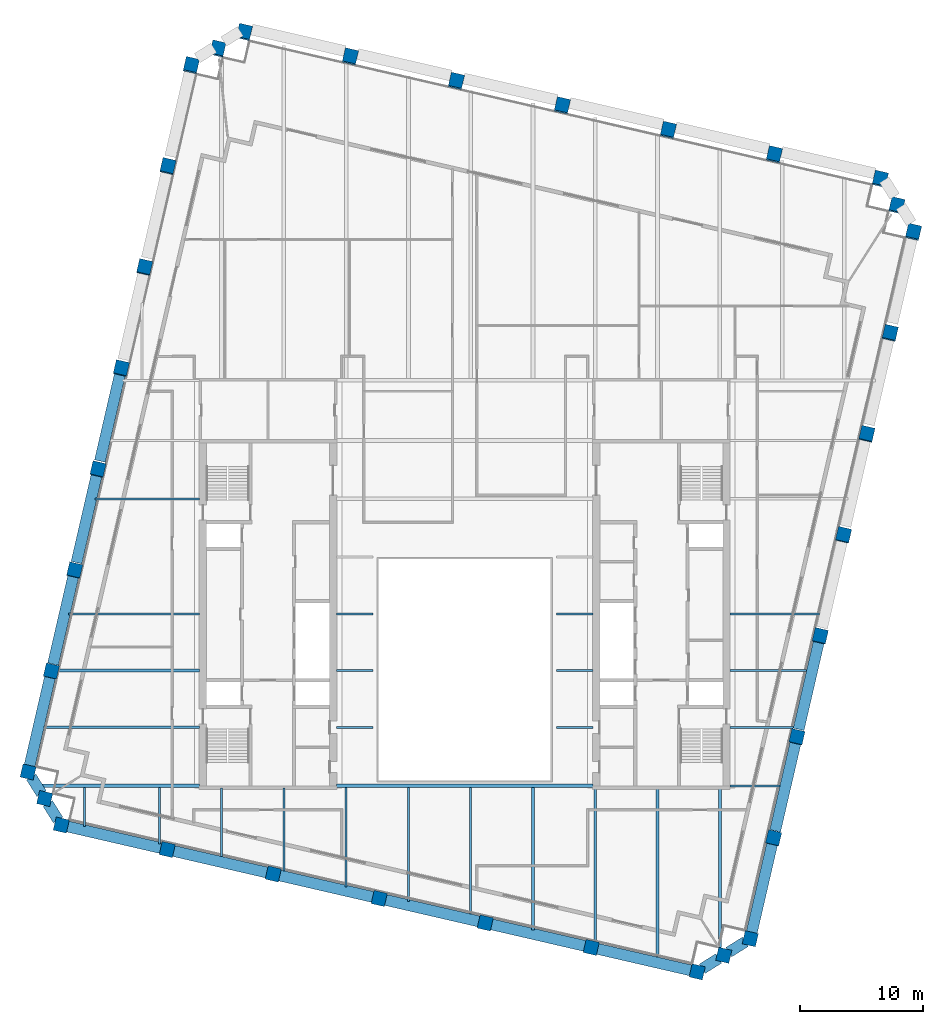
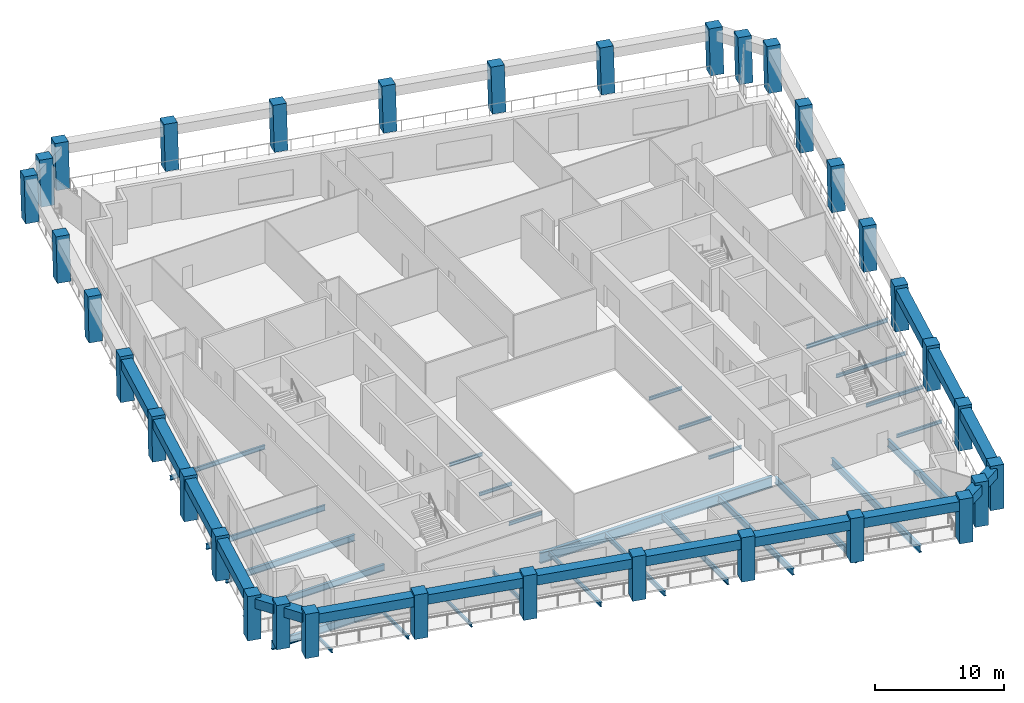
# One storey, part 1 of 9: 44 beams, 34 columns.
"""IFC4 building model written with IfcOpenShell, lengths in metres."""

import ifcopenshell
import ifcopenshell.guid

model = None  # the IFC model being written
_history = None  # IfcOwnerHistory: only IFC2X3 demands one
_inside = {}  # id of a spatial element -> (the spatial element, [elements in it])
_under = {}  # id of a project, library or spatial element -> (it, [spatial elements below it])
_declared = {}  # id of a project -> (the project, [libraries it declares])
_typed = {}  # id of a type object -> (the type object, [elements of that type])
_made_of = {}  # id of a material, layer set ... -> (it, [elements and type objects made of it])


def new_model(schema):
    """Start an empty IFC model of exactly this schema.

    Asked for "IFC4X3", IfcOpenShell would pick the latest addendum, in which some entities
    have other attributes; the version numbers below select the first issue.
    IFC2X3 requires an IfcOwnerHistory on every rooted entity: one is made here for all.
    """
    global model, _history
    if schema == "IFC4X3":
        model = ifcopenshell.file(schema_version=(4, 3, 0, 0))
    else:
        model = ifcopenshell.file(schema=schema)
    _inside.clear()
    _under.clear()
    _declared.clear()
    _typed.clear()
    _made_of.clear()
    _history = None
    if model.schema == "IFC2X3":
        org = make("IfcOrganization", Name="unknown")
        user = make(
            "IfcPersonAndOrganization",
            ThePerson=make("IfcPerson", FamilyName="unknown"),
            TheOrganization=org,
        )
        app = make(
            "IfcApplication",
            ApplicationDeveloper=org,
            Version="unknown",
            ApplicationFullName="unknown",
            ApplicationIdentifier="unknown",
        )
        _history = make(
            "IfcOwnerHistory",
            OwningUser=user,
            OwningApplication=app,
            ChangeAction="ADDED",
            CreationDate=0,
        )
    return model


def make(cls, **values):
    """One entity of the class cls with the attributes given. An attribute that is None is left unset."""
    return model.create_entity(
        cls, **{name: value for name, value in values.items() if value is not None}
    )


def rooted(cls, **values):
    """An entity with a GlobalId (a new one), such as an element, a storey or a relation."""
    return make(cls, GlobalId=ifcopenshell.guid.new(), OwnerHistory=_history, **values)


def si_unit(unit_type, name, prefix=None):
    """IfcSIUnit, for example si_unit("LENGTHUNIT", "METRE", prefix="MILLI")."""
    return make("IfcSIUnit", UnitType=unit_type, Prefix=prefix, Name=name)


def assignment(units):
    """IfcUnitAssignment: the units of a project."""
    return None if units is None else make("IfcUnitAssignment", Units=units)


def point(xyz):
    """IfcCartesianPoint."""
    return None if xyz is None else make("IfcCartesianPoint", Coordinates=xyz)


def direction(xyz):
    """IfcDirection."""
    return None if xyz is None else make("IfcDirection", DirectionRatios=xyz)


def frame(location, z_axis=None, x_axis=None):
    """IfcAxis2Placement3D, a coordinate frame: its origin and axes. An axis left out is left unset."""
    return make(
        "IfcAxis2Placement3D",
        Location=point(location),
        Axis=direction(z_axis),
        RefDirection=direction(x_axis),
    )


def frame_2d(location, x_axis=None):
    """IfcAxis2Placement2D, a coordinate frame in the plane: its origin and x axis."""
    return make(
        "IfcAxis2Placement2D", Location=point(location), RefDirection=direction(x_axis)
    )


def origin():
    """The frame at (0, 0, 0) with its axes left unset."""
    return frame((0.0, 0.0, 0.0))


def origin_2d():
    """The frame at (0, 0) in the plane with its x axis left unset."""
    return frame_2d((0.0, 0.0))


def place(relative_to, where):
    """IfcLocalPlacement: puts the frame where relative to a parent placement (None: the world)."""
    return make(
        "IfcLocalPlacement", PlacementRelTo=relative_to, RelativePlacement=where
    )


def context(
    kind, dimensions, precision=None, world=None, true_north=None, identifier=None
):
    """IfcGeometricRepresentationContext, for example the 3D "Model" context."""
    return make(
        "IfcGeometricRepresentationContext",
        ContextIdentifier=identifier,
        ContextType=kind,
        CoordinateSpaceDimension=dimensions,
        Precision=precision,
        WorldCoordinateSystem=world,
        TrueNorth=true_north,
    )


def subcontext(parent, identifier, kind, view, scale=None):
    """IfcGeometricRepresentationSubContext, for example "Body" below "Model"."""
    return make(
        "IfcGeometricRepresentationSubContext",
        ContextIdentifier=identifier,
        ContextType=kind,
        ParentContext=parent,
        TargetScale=scale,
        TargetView=view,
    )


def project(units=None, contexts=None):
    """IfcProject with its units and contexts."""
    return rooted(
        "IfcProject",
        Name="project",
        RepresentationContexts=contexts,
        UnitsInContext=assignment(units),
    )


def spatial(cls, under=None, at=None, **own):
    """A site, building, storey or space (cls), placed at a placement, below another one or the project."""
    s = rooted(cls, ObjectPlacement=at, **own)
    if under is not None:
        _under.setdefault(under.id(), (under, []))[1].append(s)
    return s


def profile(cls, at=None, kind="AREA", **sizes):
    """A parametric profile (cls). Its sizes go by their IFC names, for example OverallWidth=200.0."""
    return make(cls, ProfileType=kind, Position=at, **sizes)


def rectangle(**sizes):
    """IfcRectangleProfileDef."""
    return profile("IfcRectangleProfileDef", **sizes)


def i_section(**sizes):
    """IfcIShapeProfileDef."""
    return profile("IfcIShapeProfileDef", **sizes)


def extrude(swept, where, along, depth):
    """IfcExtrudedAreaSolid: the profile swept, set in the frame where, extruded along a direction by depth."""
    return make(
        "IfcExtrudedAreaSolid",
        SweptArea=swept,
        Position=where,
        ExtrudedDirection=direction(along),
        Depth=depth,
    )


def shape(context_of_items, identifier, shape_type, items):
    """IfcShapeRepresentation: the items that make up one representation, for example the "Body"."""
    return make(
        "IfcShapeRepresentation",
        ContextOfItems=context_of_items,
        RepresentationIdentifier=identifier,
        RepresentationType=shape_type,
        Items=items,
    )


def material(Name=None, Category=None):
    """IfcMaterial."""
    return make("IfcMaterial", Name=Name, Category=Category)


def material_profile(
    of_material, cross_section, Name=None, Category=None, Priority=None
):
    """IfcMaterialProfile: a cross section and its material."""
    return make(
        "IfcMaterialProfile",
        Name=Name,
        Material=of_material,
        Profile=cross_section,
        Priority=Priority,
        Category=Category,
    )


def profile_set(profiles, Name=None, composite=None):
    """IfcMaterialProfileSet."""
    return make(
        "IfcMaterialProfileSet",
        Name=Name,
        MaterialProfiles=profiles,
        CompositeProfile=composite,
    )


def made_of(thing, what):
    """Note that an element or type object is made of a material, layer set ...; save() writes the relation."""
    if what is not None:
        _made_of.setdefault(what.id(), (what, []))[1].append(thing)
    return thing


def type_object(cls, material=None, **own):
    """A type object (cls), such as IfcWallType, which elements share."""
    return made_of(rooted(cls, **own), material)


def element(
    cls,
    number,
    at=None,
    inside=None,
    cuts=None,
    type_object=None,
    material=None,
    context=None,
    identifier="Body",
    shape_type=None,
    held_by="IfcProductDefinitionShape",
    body=None,
    shapes=None,
    **own,
):
    """One element of the class cls, such as IfcWall. Its Tag is "e" and its number.

    at: its placement. inside: the storey or other place that contains it. cuts: it is an
    opening in that element (IfcRelVoidsElement). A single representation is given by context,
    identifier, shape_type and body (its items); several are given by shapes. held_by: the class
    of the entity that holds the representations. save() writes the other relations.
    """
    e = rooted(cls, Tag="e%d" % number, ObjectPlacement=at, **own)
    if body is not None:
        shapes = [shape(context, identifier, shape_type, body)]
    if shapes is not None:
        e.Representation = make(held_by, Representations=shapes)
    if inside is not None:
        _inside.setdefault(inside.id(), (inside, []))[1].append(e)
    if cuts is not None:
        rooted(
            "IfcRelVoidsElement", RelatingBuildingElement=cuts, RelatedOpeningElement=e
        )
    if type_object is not None:
        _typed.setdefault(type_object.id(), (type_object, []))[1].append(e)
    return made_of(e, material)


def aggregate(whole, parts):
    """IfcRelAggregates: a whole, such as a stair, and the parts it consists of."""
    return rooted("IfcRelAggregates", RelatingObject=whole, RelatedObjects=parts)


def save(model, path):
    """Write the relations noted so far, then the file.

    IfcRelAggregates (storeys below a building ...), IfcRelContainedInSpatialStructure (elements
    in a storey), IfcRelDefinesByType, IfcRelAssociatesMaterial and IfcRelDeclares: one each for
    every whole, place, type object, material and project.
    """
    for whole, parts in _under.values():
        aggregate(whole, parts)
    for where, things in _inside.values():
        rooted(
            "IfcRelContainedInSpatialStructure",
            RelatedElements=things,
            RelatingStructure=where,
        )
    for kind, things in _typed.values():
        rooted("IfcRelDefinesByType", RelatedObjects=things, RelatingType=kind)
    for what, things in _made_of.values():
        rooted("IfcRelAssociatesMaterial", RelatedObjects=things, RelatingMaterial=what)
    for by, libraries in _declared.values():
        rooted("IfcRelDeclares", RelatingContext=by, RelatedDefinitions=libraries)
    model.write(path)


model = new_model("IFC4")

# Units and contexts
model_context = context("Model", 3, precision=1e-05, world=origin(), true_north=direction((0.0, 1.0)))
body_context = subcontext(model_context, "Body", "Model", "MODEL_VIEW")
ifc_project = project(units=[si_unit("LENGTHUNIT", "METRE"), si_unit("AREAUNIT", "SQUARE_METRE"), si_unit("VOLUMEUNIT", "CUBIC_METRE"), si_unit("PLANEANGLEUNIT", "RADIAN"), si_unit("MASSUNIT", "GRAM", prefix="KILO")], contexts=[model_context])

# Site, building, storey
site_placement = place(None, origin())
site = spatial("IfcSite", under=ifc_project, at=site_placement, CompositionType="ELEMENT")
building_placement = place(site_placement, origin())
building = spatial("IfcBuilding", under=site, at=building_placement, Name="Ogive Exchange Tower", CompositionType="ELEMENT")
storey_placement = place(building_placement, frame((0.0, 0.0, 285.0)))
storey = spatial("IfcBuildingStorey", under=building, at=storey_placement, Name="L62", CompositionType="ELEMENT", Elevation=285.0)

# Columns
ifc_material_1 = material(Name="Precast concrete C70/85 (limestone faced)", Category="masonry")
ifc_material_profile_1 = material_profile(ifc_material_1, rectangle(XDim=1.10009765625, YDim=1.10009765625, at=origin_2d()), Name="1100 x 1100")
ifc_profile_set_1 = profile_set([ifc_material_profile_1], Name="Precast concrete C70/85 (limestone faced)")
column_type = type_object("IfcColumnType", Name="Precast exoskeleton leg 1100 x 1100 C70/85", PredefinedType="COLUMN", material=ifc_profile_set_1)
for number, where, z_axis, x_axis, name in (
    (1, (-32.820556640625, -5.635498046875, 0.0), (0.0, 0.0, 1.0), (0.974370064785, -0.224951054344, 0.0), "Exoskeleton leg 1"),
    (2, (-24.197265625, -7.62646484375, 0.0), (0.0, 0.0, 1.0), (0.974370064785, -0.224951054344, 0.0), "Exoskeleton leg 2"),
    (3, (-15.57421875, -9.6171875, 0.0), (0.0, 0.0, 1.0), (0.974370064785, -0.224951054344, 0.0), "Exoskeleton leg 3"),
    (4, (-6.950927734375, -11.60791015625, 0.0), (0.0, 0.0, 1.0), (0.974370064785, -0.224951054344, 0.0), "Exoskeleton leg 4"),
    (5, (1.672119140625, -13.598876953125, 0.0), (0.0, 0.0, 1.0), (0.974370064785, -0.224951054344, 0.0), "Exoskeleton leg 5"),
    (6, (10.29541015625, -15.589599609375, 0.0), (0.0, 0.0, 1.0), (0.974370064785, -0.224951054344, 0.0), "Exoskeleton leg 6"),
    (7, (18.91845703125, -17.58056640625, 0.0), (0.0, 0.0, 1.0), (0.974370064785, -0.224951054344, 0.0), "Exoskeleton leg 7"),
    (8, (23.236083984375, -14.882568359375, 0.0), (0.0, 0.0, 1.0), (0.974370064785, -0.224951054344, 0.0), "Exoskeleton leg 8"),
):
    element("IfcColumn", number, at=place(storey_placement, frame(where, z_axis=z_axis, x_axis=x_axis)), inside=storey, type_object=column_type, Name=name, PredefinedType="COLUMN", context=body_context, shape_type="SweptSolid", body=[
        extrude(rectangle(XDim=1.10009765625, YDim=1.10009765625, at=origin_2d()), origin(), (0.0, 0.0, 1.0), 4.199951171875),
    ])
column_1_placement = place(storey_placement, frame((25.130859375, -6.675048828125, 0.0), z_axis=(0.002964348167, 0.012671135303, 0.9999153239), x_axis=(-0.973709261374, 0.227794368487, 0.0)))
element("IfcColumn", 9, at=column_1_placement, inside=storey, type_object=column_type, Name="Exoskeleton leg 9", PredefinedType="COLUMN", context=body_context, shape_type="SweptSolid", body=[
    extrude(rectangle(XDim=1.10009765625, YDim=1.10009765625, at=origin_2d()), origin(), (0.0, 0.0, 1.0), 4.2001953125),
])
column_2_placement = place(storey_placement, frame((27.02587890625, 1.532470703125, 0.0), z_axis=(0.005810983994, 0.025277780376, 0.999663576552), x_axis=(-0.974579651079, 0.224041299099, 0.0)))
element("IfcColumn", 10, at=column_2_placement, inside=storey, type_object=column_type, Name="Exoskeleton leg 10", PredefinedType="COLUMN", context=body_context, shape_type="SweptSolid", body=[
    extrude(rectangle(XDim=1.10009765625, YDim=1.10009765625, at=origin_2d()), origin(), (0.0, 0.0, 1.0), 4.201416015625),
])
column_3_placement = place(storey_placement, frame((28.920654296875, 9.739990234375, 0.0), z_axis=(0.008770884695, 0.037929719907, 0.99924191662), x_axis=(-0.974290512438, 0.225295355862, 0.0)))
element("IfcColumn", 11, at=column_3_placement, inside=storey, type_object=column_type, Name="Exoskeleton leg 11", PredefinedType="COLUMN", context=body_context, shape_type="SweptSolid", body=[
    extrude(rectangle(XDim=1.10009765625, YDim=1.10009765625, at=origin_2d()), origin(), (0.0, 0.0, 1.0), 4.203125),
])
column_4_placement = place(storey_placement, frame((30.8154296875, 17.947509765625, 0.0), z_axis=(0.011668301382, 0.050504588071, 0.998655665045), x_axis=(-0.974334539389, 0.225104876342, 0.0)))
element("IfcColumn", 12, at=column_4_placement, inside=storey, type_object=column_type, Name="Exoskeleton leg 12", PredefinedType="COLUMN", context=body_context, shape_type="SweptSolid", body=[
    extrude(rectangle(XDim=1.10009765625, YDim=1.10009765625, at=origin_2d()), origin(), (0.0, 0.0, 1.0), 4.20556640625),
])
column_5_placement = place(storey_placement, frame((32.710205078125, 26.15478515625, 0.0), z_axis=(0.014617783326, 0.063169706518, 0.99789574034), x_axis=(-0.974255315496, 0.225447511024, 0.0)))
element("IfcColumn", 13, at=column_5_placement, inside=storey, type_object=column_type, Name="Exoskeleton leg 13", PredefinedType="COLUMN", context=body_context, shape_type="SweptSolid", body=[
    extrude(rectangle(XDim=1.10009765625, YDim=1.10009765625, at=origin_2d()), origin(), (0.0, 0.0, 1.0), 4.208740234375),
])
column_6_placement = place(storey_placement, frame((34.605224609375, 34.3623046875, 0.0), z_axis=(0.017444089556, 0.075687644385, 0.996978978829), x_axis=(-0.974454034257, 0.224587032398, 0.0)))
element("IfcColumn", 14, at=column_6_placement, inside=storey, type_object=column_type, Name="Exoskeleton leg 14", PredefinedType="COLUMN", context=body_context, shape_type="SweptSolid", body=[
    extrude(rectangle(XDim=1.10009765625, YDim=1.10009765625, at=origin_2d()), origin(), (0.0, 0.0, 1.0), 4.212646484375),
])
for number, where, z_axis, x_axis, name in (
    (15, (36.5, 42.56982421875, 0.0), (0.020377493232, 0.0882252832, 0.995892091129), (-0.97434807649, 0.225046274885, 0.0), "Exoskeleton leg 15"),
    (16, (33.802001953125, 46.887451171875, 0.0), (0.020377493232, 0.0882252832, 0.995892091129), (-0.97434807649, 0.225046274885, 0.0), "Exoskeleton leg 16"),
    (17, (25.178955078125, 48.878173828125, 0.0), (0.020377493232, 0.0882252832, 0.995892091129), (-0.97434807649, 0.225046274885, 0.0), "Exoskeleton leg 17"),
    (18, (16.555908203125, 50.868896484375, 0.0), (0.020319626563, 0.088225387128, 0.995893264282), (-0.974488096918, 0.224439187676, 0.0), "Exoskeleton leg 18"),
    (19, (7.9326171875, 52.85986328125, 0.0), (0.020377493232, 0.0882252832, 0.995892091129), (-0.97434807649, 0.225046274885, 0.0), "Exoskeleton leg 19"),
    (20, (-0.690673828125, 54.8505859375, 0.0), (0.020377493232, 0.0882252832, 0.995892091129), (-0.97434807649, 0.225046274885, 0.0), "Exoskeleton leg 20"),
    (21, (-9.313720703125, 56.841552734375, 0.0), (0.020377597275, 0.088167842757, 0.995897175934), (-0.97431566651, 0.225186549318, 0.0), "Exoskeleton leg 21"),
    (22, (-17.93701171875, 58.832275390625, 0.0), (0.020377493232, 0.0882252832, 0.995892091129), (-0.97434807649, 0.225046274885, 0.0), "Exoskeleton leg 22"),
    (23, (-22.25439453125, 56.134521484375, 0.0), (0.020319730311, 0.088167946619, 0.995898349105), (-0.97445585692, 0.224579123952, 0.0), "Exoskeleton leg 23"),
):
    element("IfcColumn", number, at=place(storey_placement, frame(where, z_axis=z_axis, x_axis=x_axis)), inside=storey, type_object=column_type, Name=name, PredefinedType="COLUMN", context=body_context, shape_type="SweptSolid", body=[
        extrude(rectangle(XDim=1.10009765625, YDim=1.10009765625, at=origin_2d()), origin(), (0.0, 0.0, 1.0), 4.21728515625),
    ])
column_7_placement = place(storey_placement, frame((-24.1494140625, 47.927001953125, 0.0), z_axis=(0.017502025619, 0.075687567741, 0.996977969259), x_axis=(-0.974290512438, 0.225295355862, 0.0)))
element("IfcColumn", 24, at=column_7_placement, inside=storey, type_object=column_type, Name="Exoskeleton leg 24", PredefinedType="COLUMN", context=body_context, shape_type="SweptSolid", body=[
    extrude(rectangle(XDim=1.10009765625, YDim=1.10009765625, at=origin_2d()), origin(), (0.0, 0.0, 1.0), 4.212646484375),
])
column_8_placement = place(storey_placement, frame((-26.044189453125, 39.719482421875, 0.0), z_axis=(0.014559841898, 0.063111984005, 0.997900239743), x_axis=(-0.97440628778, 0.224794097641, 0.0)))
element("IfcColumn", 25, at=column_8_placement, inside=storey, type_object=column_type, Name="Exoskeleton leg 25", PredefinedType="COLUMN", context=body_context, shape_type="SweptSolid", body=[
    extrude(rectangle(XDim=1.10009765625, YDim=1.10009765625, at=origin_2d()), origin(), (0.0, 0.0, 1.0), 4.208740234375),
])
column_9_placement = place(storey_placement, frame((-27.93896484375, 31.511962890625, 0.0), z_axis=(0.011668267153, 0.050562490995, 0.998652735462), x_axis=(-0.974391195695, 0.224859506699, 0.0)))
element("IfcColumn", 26, at=column_9_placement, inside=storey, type_object=column_type, Name="Exoskeleton leg 26", PredefinedType="COLUMN", context=body_context, shape_type="SweptSolid", body=[
    extrude(rectangle(XDim=1.10009765625, YDim=1.10009765625, at=origin_2d()), origin(), (0.0, 0.0, 1.0), 4.20556640625),
])
column_10_placement = place(storey_placement, frame((-29.833984375, 23.304443359375, 0.0), z_axis=(0.008770884695, 0.037929719907, 0.99924191662), x_axis=(-0.974290512438, 0.225295355862, 0.0)))
element("IfcColumn", 27, at=column_10_placement, inside=storey, type_object=column_type, Name="Exoskeleton leg 27", PredefinedType="COLUMN", context=body_context, shape_type="SweptSolid", body=[
    extrude(rectangle(XDim=1.10009765625, YDim=1.10009765625, at=origin_2d()), origin(), (0.0, 0.0, 1.0), 4.203125),
])
column_11_placement = place(storey_placement, frame((-31.728759765625, 15.096923828125, 0.0), z_axis=(0.005869091843, 0.025277771797, 0.999663237302), x_axis=(-0.974088391429, 0.226167649504, 0.0)))
element("IfcColumn", 28, at=column_11_placement, inside=storey, type_object=column_type, Name="Exoskeleton leg 28", PredefinedType="COLUMN", context=body_context, shape_type="SweptSolid", body=[
    extrude(rectangle(XDim=1.10009765625, YDim=1.10009765625, at=origin_2d()), origin(), (0.0, 0.0, 1.0), 4.201416015625),
])
column_12_placement = place(storey_placement, frame((-33.62353515625, 6.889404296875, 0.0), z_axis=(0.002906224189, 0.012671137464, 0.999915494498), x_axis=(-0.974691740237, 0.22355315143, 0.0)))
element("IfcColumn", 29, at=column_12_placement, inside=storey, type_object=column_type, Name="Exoskeleton leg 29", PredefinedType="COLUMN", context=body_context, shape_type="SweptSolid", body=[
    extrude(rectangle(XDim=1.10009765625, YDim=1.10009765625, at=origin_2d()), origin(), (0.0, 0.0, 1.0), 4.2001953125),
])
for number, where, z_axis, x_axis, name in (
    (30, (-35.518310546875, -1.318115234375, 0.0), (0.0, 0.0, 1.0), (0.974370064785, -0.224951054344, 0.0), "Exoskeleton leg 30"),
    (31, (21.077392578125, -16.2314453125, 0.0), (0.0, 0.0, 1.0), (0.974370064785, -0.224951054344, 0.0), "Exoskeleton leg 31"),
):
    element("IfcColumn", number, at=place(storey_placement, frame(where, z_axis=z_axis, x_axis=x_axis)), inside=storey, type_object=column_type, Name=name, PredefinedType="COLUMN", context=body_context, shape_type="SweptSolid", body=[
        extrude(rectangle(XDim=1.10009765625, YDim=1.10009765625, at=origin_2d()), origin(), (0.0, 0.0, 1.0), 4.199951171875),
    ])
for number, where, z_axis, x_axis, name in (
    (32, (35.151123046875, 44.728515625, 0.0), (0.020377493232, 0.0882252832, 0.995892091129), (-0.97434807649, 0.225046274885, 0.0), "Exoskeleton leg 32"),
    (33, (-20.095703125, 57.4833984375, 0.0), (0.020377493232, 0.0882252832, 0.995892091129), (-0.97434807649, 0.225046274885, 0.0), "Exoskeleton leg 33"),
):
    element("IfcColumn", number, at=place(storey_placement, frame(where, z_axis=z_axis, x_axis=x_axis)), inside=storey, type_object=column_type, Name=name, PredefinedType="COLUMN", context=body_context, shape_type="SweptSolid", body=[
        extrude(rectangle(XDim=1.10009765625, YDim=1.10009765625, at=origin_2d()), origin(), (0.0, 0.0, 1.0), 4.21728515625),
    ])
column_13_placement = place(storey_placement, frame((-34.16943359375, -3.476806640625, 0.0), z_axis=(0.0, 0.0, 1.0), x_axis=(0.974370064785, -0.224951054344, 0.0)))
element("IfcColumn", 34, at=column_13_placement, inside=storey, type_object=column_type, Name="Exoskeleton leg 34", PredefinedType="COLUMN", context=body_context, shape_type="SweptSolid", body=[
    extrude(rectangle(XDim=1.10009765625, YDim=1.10009765625, at=origin_2d()), origin(), (0.0, 0.0, 1.0), 4.199951171875),
])

# Beams
ifc_material_2 = material(Name="Steel ASTM A992 Gr50", Category="steel")
ifc_material_profile_2 = material_profile(ifc_material_2, i_section(OverallWidth=0.1650390625, OverallDepth=0.31005859375, WebThickness=0.005859375, FlangeThickness=0.009765625, at=origin_2d()), Name="W310x38.7")
ifc_profile_set_2 = profile_set([ifc_material_profile_2], Name="Steel ASTM A992 Gr50")
beam_type_1 = type_object("IfcBeamType", Name="Floor beam W310x38.7", PredefinedType="JOIST", material=ifc_profile_set_2)
for number, where, z_axis, x_axis, name in (
    (35, (-10.419921875, 2.3212890625, -0.35498046875), (1.0, 0.0, 0.0), (0.0, 1.0, 0.0), "Floor beam"),
    (36, (7.469970703125, 2.3212890625, -0.35498046875), (1.0, 0.0, 0.0), (0.0, 1.0, 0.0), "Floor beam"),
):
    element("IfcBeam", number, at=place(storey_placement, frame(where, z_axis=z_axis, x_axis=x_axis)), inside=storey, type_object=beam_type_1, Name=name, PredefinedType="JOIST", context=body_context, shape_type="SweptSolid", body=[
        extrude(i_section(OverallWidth=0.1650390625, OverallDepth=0.31005859375, WebThickness=0.005859375, FlangeThickness=0.009765625, at=origin_2d()), origin(), (0.0, 0.0, 1.0), 2.949951171875),
    ])
beam_1_placement = place(storey_placement, frame((21.580078125, 2.3212890625, -0.35498046875), z_axis=(1.0, 0.0, 0.0), x_axis=(0.0, 1.0, 0.0)))
element("IfcBeam", 37, at=beam_1_placement, inside=storey, type_object=beam_type_1, Name="Floor beam", PredefinedType="JOIST", context=body_context, shape_type="SweptSolid", body=[
    extrude(i_section(OverallWidth=0.1650390625, OverallDepth=0.31005859375, WebThickness=0.005859375, FlangeThickness=0.009765625, at=origin_2d()), origin(), (0.0, 0.0, 1.0), 5.166015625),
])
for number, where, z_axis, x_axis, name in (
    (38, (-10.419921875, 6.9326171875, -0.35498046875), (1.0, 0.0, 0.0), (0.0, 1.0, 0.0), "Floor beam"),
    (39, (7.469970703125, 6.9326171875, -0.35498046875), (1.0, 0.0, 0.0), (0.0, 1.0, 0.0), "Floor beam"),
):
    element("IfcBeam", number, at=place(storey_placement, frame(where, z_axis=z_axis, x_axis=x_axis)), inside=storey, type_object=beam_type_1, Name=name, PredefinedType="JOIST", context=body_context, shape_type="SweptSolid", body=[
        extrude(i_section(OverallWidth=0.1650390625, OverallDepth=0.31005859375, WebThickness=0.005859375, FlangeThickness=0.009765625, at=origin_2d()), origin(), (0.0, 0.0, 1.0), 2.949951171875),
    ])
beam_2_placement = place(storey_placement, frame((21.580078125, 6.9326171875, -0.35498046875), z_axis=(1.0, 0.0, 0.0), x_axis=(0.0, 1.0, 0.0)))
element("IfcBeam", 40, at=beam_2_placement, inside=storey, type_object=beam_type_1, Name="Floor beam", PredefinedType="JOIST", context=body_context, shape_type="SweptSolid", body=[
    extrude(i_section(OverallWidth=0.1650390625, OverallDepth=0.31005859375, WebThickness=0.005859375, FlangeThickness=0.009765625, at=origin_2d()), origin(), (0.0, 0.0, 1.0), 6.230712890625),
])
for number, where, z_axis, x_axis, name in (
    (41, (-10.419921875, 11.543701171875, -0.35498046875), (1.0, 0.0, 0.0), (0.0, 1.0, 0.0), "Floor beam"),
    (42, (7.469970703125, 11.543701171875, -0.35498046875), (1.0, 0.0, 0.0), (0.0, 1.0, 0.0), "Floor beam"),
):
    element("IfcBeam", number, at=place(storey_placement, frame(where, z_axis=z_axis, x_axis=x_axis)), inside=storey, type_object=beam_type_1, Name=name, PredefinedType="JOIST", context=body_context, shape_type="SweptSolid", body=[
        extrude(i_section(OverallWidth=0.1650390625, OverallDepth=0.31005859375, WebThickness=0.005859375, FlangeThickness=0.009765625, at=origin_2d()), origin(), (0.0, 0.0, 1.0), 2.949951171875),
    ])
beam_3_placement = place(storey_placement, frame((-30.91162109375, -5.764404296875, -0.35498046875), z_axis=(0.0, 1.0, 0.0), x_axis=(-1.0, 0.0, 0.0)))
element("IfcBeam", 43, at=beam_3_placement, inside=storey, type_object=beam_type_1, Name="Floor beam", PredefinedType="JOIST", context=body_context, shape_type="SweptSolid", body=[
    extrude(i_section(OverallWidth=0.1650390625, OverallDepth=0.31005859375, WebThickness=0.005859375, FlangeThickness=0.009765625, at=origin_2d()), origin(), (0.0, 0.0, 1.0), 3.185791015625),
])
beam_4_placement = place(storey_placement, frame((-24.844482421875, -7.1650390625, -0.35498046875), z_axis=(0.0, 1.0, 0.0), x_axis=(-1.0, 0.0, 0.0)))
element("IfcBeam", 44, at=beam_4_placement, inside=storey, type_object=beam_type_1, Name="Floor beam", PredefinedType="JOIST", context=body_context, shape_type="SweptSolid", body=[
    extrude(i_section(OverallWidth=0.1650390625, OverallDepth=0.31005859375, WebThickness=0.005859375, FlangeThickness=0.009765625, at=origin_2d()), origin(), (0.0, 0.0, 1.0), 4.58642578125),
])
beam_5_placement = place(storey_placement, frame((-19.777587890625, -8.18505859375, -0.35498046875), z_axis=(0.0, 1.0, 0.0), x_axis=(-1.0, 0.0, 0.0)))
element("IfcBeam", 45, at=beam_5_placement, inside=storey, type_object=beam_type_1, Name="Floor beam", PredefinedType="JOIST", context=body_context, shape_type="SweptSolid", body=[
    extrude(i_section(OverallWidth=0.1650390625, OverallDepth=0.31005859375, WebThickness=0.005859375, FlangeThickness=0.009765625, at=origin_2d()), origin(), (0.0, 0.0, 1.0), 5.5849609375),
])
ifc_material_profile_3 = material_profile(ifc_material_2, i_section(OverallWidth=0.1708984375, OverallDepth=0.35595703125, WebThickness=0.00732421875, FlangeThickness=0.01171875, at=origin_2d()), Name="W360x51")
ifc_profile_set_3 = profile_set([ifc_material_profile_3], Name="Steel ASTM A992 Gr50")
beam_type_2 = type_object("IfcBeamType", Name="Floor beam W360x51", PredefinedType="JOIST", material=ifc_profile_set_3)
beam_6_placement = place(storey_placement, frame((21.580078125, 11.543701171875, -0.3779296875), z_axis=(1.0, 0.0, 0.0), x_axis=(0.0, 1.0, 0.0)))
element("IfcBeam", 46, at=beam_6_placement, inside=storey, type_object=beam_type_2, Name="Floor beam", PredefinedType="JOIST", context=body_context, shape_type="SweptSolid", body=[
    extrude(i_section(OverallWidth=0.1708984375, OverallDepth=0.35595703125, WebThickness=0.00732421875, FlangeThickness=0.01171875, at=origin_2d()), origin(), (0.0, 0.0, 1.0), 7.295166015625),
])
beam_7_placement = place(storey_placement, frame((-14.71044921875, -9.354736328125, -0.3779296875), z_axis=(0.0, 1.0, 0.0), x_axis=(-1.0, 0.0, 0.0)))
element("IfcBeam", 47, at=beam_7_placement, inside=storey, type_object=beam_type_2, Name="Floor beam", PredefinedType="JOIST", context=body_context, shape_type="SweptSolid", body=[
    extrude(i_section(OverallWidth=0.1708984375, OverallDepth=0.35595703125, WebThickness=0.00732421875, FlangeThickness=0.01171875, at=origin_2d()), origin(), (0.0, 0.0, 1.0), 6.754638671875),
])
ifc_material_profile_4 = material_profile(ifc_material_2, i_section(OverallWidth=0.177978515625, OverallDepth=0.406005859375, WebThickness=0.0078125, FlangeThickness=0.0126953125, at=origin_2d()), Name="W410x60")
ifc_profile_set_4 = profile_set([ifc_material_profile_4], Name="Steel ASTM A992 Gr50")
beam_type_3 = type_object("IfcBeamType", Name="Floor beam W410x60", PredefinedType="JOIST", material=ifc_profile_set_4)
beam_8_placement = place(storey_placement, frame((-30.0771484375, 20.89990234375, -0.403076171875), z_axis=(1.0, 0.0, 0.0), x_axis=(0.0, 1.0, 0.0)))
element("IfcBeam", 48, at=beam_8_placement, inside=storey, type_object=beam_type_3, Name="Floor beam", PredefinedType="JOIST", context=body_context, shape_type="SweptSolid", body=[
    extrude(i_section(OverallWidth=0.177978515625, OverallDepth=0.406005859375, WebThickness=0.0078125, FlangeThickness=0.0126953125, at=origin_2d()), origin(), (0.0, 0.0, 1.0), 8.4970703125),
])
beam_9_placement = place(storey_placement, frame((-9.643310546875, -10.674560546875, -0.403076171875), z_axis=(0.0, 1.0, 0.0), x_axis=(-1.0, 0.0, 0.0)))
element("IfcBeam", 49, at=beam_9_placement, inside=storey, type_object=beam_type_3, Name="Floor beam", PredefinedType="JOIST", context=body_context, shape_type="SweptSolid", body=[
    extrude(i_section(OverallWidth=0.177978515625, OverallDepth=0.406005859375, WebThickness=0.0078125, FlangeThickness=0.0126953125, at=origin_2d()), origin(), (0.0, 0.0, 1.0), 8.07958984375),
])
ifc_material_profile_5 = material_profile(ifc_material_2, i_section(OverallWidth=0.19091796875, OverallDepth=0.45703125, WebThickness=0.009033203125, FlangeThickness=0.014404296875, at=origin_2d()), Name="W460x74")
ifc_profile_set_5 = profile_set([ifc_material_profile_5], Name="Steel ASTM A992 Gr50")
beam_type_4 = type_object("IfcBeamType", Name="Floor beam W460x74", PredefinedType="JOIST", material=ifc_profile_set_5)
beam_10_placement = place(storey_placement, frame((-4.576416015625, -11.844482421875, -0.428466796875), z_axis=(0.0, 1.0, 0.0), x_axis=(-1.0, 0.0, 0.0)))
element("IfcBeam", 50, at=beam_10_placement, inside=storey, type_object=beam_type_4, Name="Floor beam", PredefinedType="JOIST", context=body_context, shape_type="SweptSolid", body=[
    extrude(i_section(OverallWidth=0.19091796875, OverallDepth=0.45703125, WebThickness=0.009033203125, FlangeThickness=0.014404296875, at=origin_2d()), origin(), (0.0, 0.0, 1.0), 9.24951171875),
])
ifc_material_profile_6 = material_profile(ifc_material_2, i_section(OverallWidth=0.1669921875, OverallDepth=0.535888671875, WebThickness=0.01025390625, FlangeThickness=0.0166015625, at=origin_2d()), Name="W530x85")
ifc_profile_set_6 = profile_set([ifc_material_profile_6], Name="Steel ASTM A992 Gr50")
beam_type_5 = type_object("IfcBeamType", Name="Floor beam W530x85", PredefinedType="JOIST", material=ifc_profile_set_6)
beam_11_placement = place(storey_placement, frame((-32.2373046875, 11.543701171875, -0.468017578125), z_axis=(1.0, 0.0, 0.0), x_axis=(0.0, 1.0, 0.0)))
element("IfcBeam", 51, at=beam_11_placement, inside=storey, type_object=beam_type_5, Name="Floor beam", PredefinedType="JOIST", context=body_context, shape_type="SweptSolid", body=[
    extrude(i_section(OverallWidth=0.1669921875, OverallDepth=0.535888671875, WebThickness=0.01025390625, FlangeThickness=0.0166015625, at=origin_2d()), origin(), (0.0, 0.0, 1.0), 10.6572265625),
])
beam_12_placement = place(storey_placement, frame((0.49072265625, -12.8642578125, -0.468017578125), z_axis=(0.0, 1.0, 0.0), x_axis=(-1.0, 0.0, 0.0)))
element("IfcBeam", 52, at=beam_12_placement, inside=storey, type_object=beam_type_5, Name="Floor beam", PredefinedType="JOIST", context=body_context, shape_type="SweptSolid", body=[
    extrude(i_section(OverallWidth=0.1669921875, OverallDepth=0.535888671875, WebThickness=0.01025390625, FlangeThickness=0.0166015625, at=origin_2d()), origin(), (0.0, 0.0, 1.0), 10.269287109375),
])
ifc_material_profile_7 = material_profile(ifc_material_2, i_section(OverallWidth=0.22802734375, OverallDepth=0.60205078125, WebThickness=0.010498046875, FlangeThickness=0.014892578125, at=origin_2d()), Name="W610x101")
ifc_profile_set_7 = profile_set([ifc_material_profile_7], Name="Steel ASTM A992 Gr50")
beam_type_6 = type_object("IfcBeamType", Name="Floor beam W610x101", PredefinedType="JOIST", material=ifc_profile_set_7)
beam_13_placement = place(storey_placement, frame((-34.21630859375, 2.3212890625, -0.5009765625), z_axis=(1.0, 0.0, 0.0), x_axis=(0.0, 1.0, 0.0)))
element("IfcBeam", 53, at=beam_13_placement, inside=storey, type_object=beam_type_6, Name="Floor beam", PredefinedType="JOIST", context=body_context, shape_type="SweptSolid", body=[
    extrude(i_section(OverallWidth=0.22802734375, OverallDepth=0.60205078125, WebThickness=0.010498046875, FlangeThickness=0.014892578125, at=origin_2d()), origin(), (0.0, 0.0, 1.0), 12.63623046875),
])
beam_14_placement = place(storey_placement, frame((-33.15185546875, 6.9326171875, -0.5009765625), z_axis=(1.0, 0.0, 0.0), x_axis=(0.0, 1.0, 0.0)))
element("IfcBeam", 54, at=beam_14_placement, inside=storey, type_object=beam_type_6, Name="Floor beam", PredefinedType="JOIST", context=body_context, shape_type="SweptSolid", body=[
    extrude(i_section(OverallWidth=0.22802734375, OverallDepth=0.60205078125, WebThickness=0.010498046875, FlangeThickness=0.014892578125, at=origin_2d()), origin(), (0.0, 0.0, 1.0), 11.57177734375),
])
beam_15_placement = place(storey_placement, frame((5.557861328125, -14.18408203125, -0.5009765625), z_axis=(0.0, 1.0, 0.0), x_axis=(-1.0, 0.0, 0.0)))
element("IfcBeam", 55, at=beam_15_placement, inside=storey, type_object=beam_type_6, Name="Floor beam", PredefinedType="JOIST", context=body_context, shape_type="SweptSolid", body=[
    extrude(i_section(OverallWidth=0.22802734375, OverallDepth=0.60205078125, WebThickness=0.010498046875, FlangeThickness=0.014892578125, at=origin_2d()), origin(), (0.0, 0.0, 1.0), 11.589111328125),
])
beam_16_placement = place(storey_placement, frame((10.625, -15.203857421875, -0.5009765625), z_axis=(0.0, 1.0, 0.0), x_axis=(-1.0, 0.0, 0.0)))
element("IfcBeam", 56, at=beam_16_placement, inside=storey, type_object=beam_type_6, Name="Floor beam", PredefinedType="JOIST", context=body_context, shape_type="SweptSolid", body=[
    extrude(i_section(OverallWidth=0.22802734375, OverallDepth=0.60205078125, WebThickness=0.010498046875, FlangeThickness=0.014892578125, at=origin_2d()), origin(), (0.0, 0.0, 1.0), 12.603759765625),
])
ifc_material_profile_8 = material_profile(ifc_material_2, i_section(OverallWidth=0.25390625, OverallDepth=0.677978515625, WebThickness=0.01171875, FlangeThickness=0.016357421875, at=origin_2d()), Name="W690x125")
ifc_profile_set_8 = profile_set([ifc_material_profile_8], Name="Steel ASTM A992 Gr50")
beam_type_7 = type_object("IfcBeamType", Name="Floor beam W690x125", PredefinedType="JOIST", material=ifc_profile_set_8)
beam_17_placement = place(storey_placement, frame((15.69189453125, -16.373779296875, -0.5390625), z_axis=(0.0, 1.0, 0.0), x_axis=(-1.0, 0.0, 0.0)))
element("IfcBeam", 57, at=beam_17_placement, inside=storey, type_object=beam_type_7, Name="Floor beam", PredefinedType="JOIST", context=body_context, shape_type="SweptSolid", body=[
    extrude(i_section(OverallWidth=0.25390625, OverallDepth=0.677978515625, WebThickness=0.01171875, FlangeThickness=0.016357421875, at=origin_2d()), origin(), (0.0, 0.0, 1.0), 13.773681640625),
])
beam_18_placement = place(storey_placement, frame((20.759033203125, -15.609375, -0.5390625), z_axis=(0.0, 1.0, 0.0), x_axis=(-1.0, 0.0, 0.0)))
element("IfcBeam", 58, at=beam_18_placement, inside=storey, type_object=beam_type_7, Name="Floor beam", PredefinedType="JOIST", context=body_context, shape_type="SweptSolid", body=[
    extrude(i_section(OverallWidth=0.25390625, OverallDepth=0.677978515625, WebThickness=0.01171875, FlangeThickness=0.016357421875, at=origin_2d()), origin(), (0.0, 0.0, 1.0), 13.00927734375),
])
ifc_material_profile_9 = material_profile(ifc_material_2, i_section(OverallWidth=0.300048828125, OverallDepth=0.97998046875, WebThickness=0.0166015625, FlangeThickness=0.026123046875, at=origin_2d()), Name="W1000x249")
ifc_profile_set_9 = profile_set([ifc_material_profile_9], Name="Steel ASTM A992 Gr50")
beam_type_8 = type_object("IfcBeamType", Name="Girder W1000x249", PredefinedType="BEAM", material=ifc_profile_set_9)
beam_19_placement = place(storey_placement, frame((-10.419921875, -2.445068359375, -0.68994140625), z_axis=(1.0, 0.0, 0.0), x_axis=(0.0, 1.0, 0.0)))
element("IfcBeam", 59, at=beam_19_placement, inside=storey, type_object=beam_type_8, Name="Header girder", PredefinedType="BEAM", context=body_context, shape_type="SweptSolid", body=[
    extrude(i_section(OverallWidth=0.300048828125, OverallDepth=0.97998046875, WebThickness=0.0166015625, FlangeThickness=0.026123046875, at=origin_2d()), origin(), (0.0, 0.0, 1.0), 20.83984375),
])
ifc_material_profile_10 = material_profile(ifc_material_2, i_section(OverallWidth=0.1650390625, OverallDepth=0.31005859375, WebThickness=0.005859375, FlangeThickness=0.009765625, at=origin_2d()), Name="W310x38.7")
ifc_profile_set_10 = profile_set([ifc_material_profile_10], Name="Steel ASTM A992 Gr50")
beam_type_9 = type_object("IfcBeamType", Name="Girder W310x38.7", PredefinedType="BEAM", material=ifc_profile_set_10)
beam_20_placement = place(storey_placement, frame((21.580078125, -2.445068359375, -0.35498046875), z_axis=(1.0, 0.0, 0.0), x_axis=(0.0, 1.0, 0.0)))
element("IfcBeam", 60, at=beam_20_placement, inside=storey, type_object=beam_type_9, Name="Header girder", PredefinedType="BEAM", context=body_context, shape_type="SweptSolid", body=[
    extrude(i_section(OverallWidth=0.1650390625, OverallDepth=0.31005859375, WebThickness=0.005859375, FlangeThickness=0.009765625, at=origin_2d()), origin(), (0.0, 0.0, 1.0), 4.065673828125),
])
ifc_material_profile_11 = material_profile(ifc_material_2, i_section(OverallWidth=0.26708984375, OverallDepth=0.75390625, WebThickness=0.01318359375, FlangeThickness=0.01708984375, at=origin_2d()), Name="W760x147")
ifc_profile_set_11 = profile_set([ifc_material_profile_11], Name="Steel ASTM A992 Gr50")
beam_type_10 = type_object("IfcBeamType", Name="Girder W760x147", PredefinedType="BEAM", material=ifc_profile_set_11)
beam_21_placement = place(storey_placement, frame((-34.43359375, -2.445068359375, -0.576904296875), z_axis=(1.0, 0.0, 0.0), x_axis=(0.0, 1.0, 0.0)))
element("IfcBeam", 61, at=beam_21_placement, inside=storey, type_object=beam_type_10, Name="Header girder", PredefinedType="BEAM", context=body_context, shape_type="SweptSolid", body=[
    extrude(i_section(OverallWidth=0.26708984375, OverallDepth=0.75390625, WebThickness=0.01318359375, FlangeThickness=0.01708984375, at=origin_2d()), origin(), (0.0, 0.0, 1.0), 12.853515625),
])
ifc_material_profile_12 = material_profile(ifc_material_1, rectangle(XDim=0.89990234375, YDim=0.89990234375, at=origin_2d()), Name="900 x 900")
ifc_profile_set_12 = profile_set([ifc_material_profile_12], Name="Precast concrete C70/85 (limestone faced)")
beam_type_11 = type_object("IfcBeamType", Name="Precast spandrel 900 x 900 C70/85", PredefinedType="SPANDREL", material=ifc_profile_set_12)
for number, where, z_axis, x_axis, name in (
    (62, (-32.30419921875, -5.7548828125, 3.5), (0.974374818602, -0.224930462307, 0.0), (0.224930462307, 0.974374818602, 0.0), "Spandrel 1"),
    (63, (-23.680908203125, -7.74560546875, 3.5), (0.974367949416, -0.224960216819, 0.0), (0.224960216819, 0.974367949416, 0.0), "Spandrel 2"),
    (64, (-15.0576171875, -9.736328125, 3.5), (0.974367949416, -0.224960216819, 0.0), (0.224960216819, 0.974367949416, 0.0), "Spandrel 3"),
    (65, (-6.4345703125, -11.727294921875, 3.5), (0.974374818602, -0.224930462307, 0.0), (0.224930462307, 0.974374818602, 0.0), "Spandrel 4"),
):
    element("IfcBeam", number, at=place(storey_placement, frame(where, z_axis=z_axis, x_axis=x_axis)), inside=storey, type_object=beam_type_11, Name=name, PredefinedType="SPANDREL", context=body_context, shape_type="SweptSolid", body=[
        extrude(rectangle(XDim=0.89990234375, YDim=0.89990234375, at=origin_2d()), origin(), (0.0, 0.0, 1.0), 7.7900390625),
    ])
beam_22_placement = place(storey_placement, frame((2.188720703125, -13.718017578125, 3.5), z_axis=(0.974366363305, -0.224967086616, 0.0), x_axis=(0.224967086616, 0.974366363305, 0.0)))
element("IfcBeam", 66, at=beam_22_placement, inside=storey, type_object=beam_type_11, Name="Spandrel 5", PredefinedType="SPANDREL", context=body_context, shape_type="SweptSolid", body=[
    extrude(rectangle(XDim=0.89990234375, YDim=0.89990234375, at=origin_2d()), origin(), (0.0, 0.0, 1.0), 7.789794921875),
])
beam_23_placement = place(storey_placement, frame((10.811767578125, -15.708984375, 3.5), z_axis=(0.974374818602, -0.224930462307, 0.0), x_axis=(0.224930462307, 0.974374818602, 0.0)))
element("IfcBeam", 67, at=beam_23_placement, inside=storey, type_object=beam_type_11, Name="Spandrel 6", PredefinedType="SPANDREL", context=body_context, shape_type="SweptSolid", body=[
    extrude(rectangle(XDim=0.89990234375, YDim=0.89990234375, at=origin_2d()), origin(), (0.0, 0.0, 1.0), 7.7900390625),
])
for number, where, z_axis, x_axis, name in (
    (68, (19.32373046875, -17.327392578125, 3.5), (0.84798967817, 0.53001274109, 0.0), (-0.53001274109, 0.84798967817, 0.0), "Spandrel 7"),
    (69, (21.482421875, -15.978271484375, 3.5), (0.848058683477, 0.529902320601, 0.0), (-0.529902320601, 0.848058683477, 0.0), "Spandrel 8"),
):
    element("IfcBeam", number, at=place(storey_placement, frame(where, z_axis=z_axis, x_axis=x_axis)), inside=storey, type_object=beam_type_11, Name=name, PredefinedType="SPANDREL", context=body_context, shape_type="SweptSolid", body=[
        extrude(rectangle(XDim=0.89990234375, YDim=0.89990234375, at=origin_2d()), origin(), (0.0, 0.0, 1.0), 1.590087890625),
    ])
for number, where, z_axis, x_axis, name in (
    (70, (23.355224609375, -14.3662109375, 3.5), (0.224955653932, 0.974369002875, 0.0), (-0.974369002875, 0.224955653932, 0.0), "Spandrel 9"),
    (71, (25.262451171875, -6.10546875, 3.5), (0.224955653932, 0.974369002875, 0.0), (-0.974369002875, 0.224955653932, 0.0), "Spandrel 10"),
    (72, (27.169677734375, 2.155029296875, 3.5), (0.224924406802, 0.974376216471, 0.0), (-0.974376216471, 0.224924406802, 0.0), "Spandrel 11"),
    (73, (-28.00927734375, 31.2080078125, 3.5), (-0.224924406802, -0.974376216471, 0.0), (0.974376216471, -0.224924406802, 0.0), "Spandrel 29"),
    (74, (-29.916259765625, 22.947509765625, 3.5), (-0.224955653932, -0.974369002875, 0.0), (0.974369002875, -0.224955653932, 0.0), "Spandrel 30"),
    (75, (-31.823486328125, 14.686767578125, 3.5), (-0.224955653932, -0.974369002875, 0.0), (0.974369002875, -0.224955653932, 0.0), "Spandrel 31"),
    (76, (-33.73046875, 6.42626953125, 3.5), (-0.224955653932, -0.974369002875, 0.0), (0.974369002875, -0.224955653932, 0.0), "Spandrel 32"),
):
    element("IfcBeam", number, at=place(storey_placement, frame(where, z_axis=z_axis, x_axis=x_axis)), inside=storey, type_object=beam_type_11, Name=name, PredefinedType="SPANDREL", context=body_context, shape_type="SweptSolid", body=[
        extrude(rectangle(XDim=0.89990234375, YDim=0.89990234375, at=origin_2d()), origin(), (0.0, 0.0, 1.0), 7.41796875),
    ])
for number, where, z_axis, x_axis, name in (
    (77, (-35.26513671875, -1.72314453125, 3.5), (0.529902320601, -0.848058683477, 0.0), (0.848058683477, 0.529902320601, 0.0), "Spandrel 33"),
    (78, (-33.916259765625, -3.882080078125, 3.5), (0.529902320601, -0.848058683477, 0.0), (0.848058683477, 0.529902320601, 0.0), "Spandrel 34"),
):
    element("IfcBeam", number, at=place(storey_placement, frame(where, z_axis=z_axis, x_axis=x_axis)), inside=storey, type_object=beam_type_11, Name=name, PredefinedType="SPANDREL", context=body_context, shape_type="SweptSolid", body=[
        extrude(rectangle(XDim=0.89990234375, YDim=0.89990234375, at=origin_2d()), origin(), (0.0, 0.0, 1.0), 1.590087890625),
    ])

save(model, "model.ifc")
